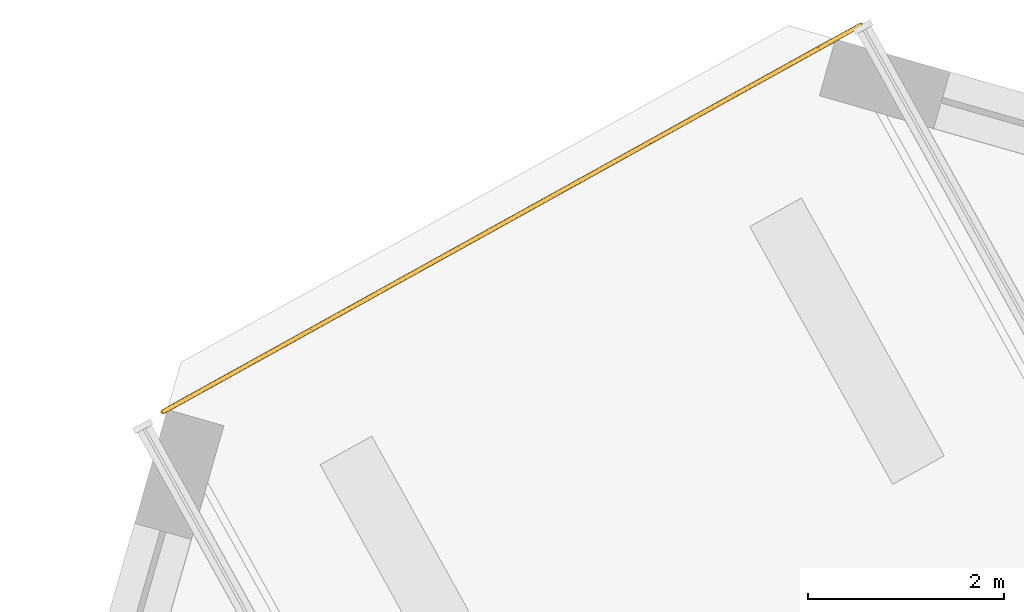
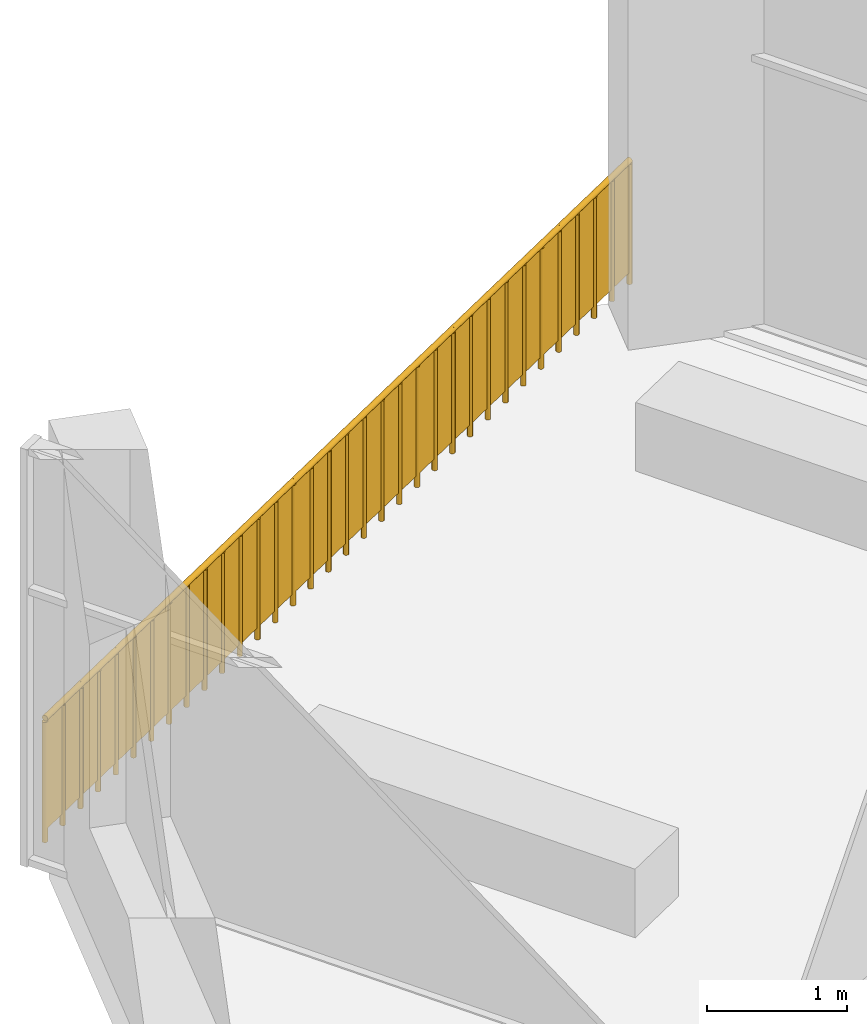
# One storey, part 14 of 15: 1 railing.
"""IFC4 building model written with IfcOpenShell, lengths in metres."""

import ifcopenshell
import ifcopenshell.guid

model = None  # the IFC model being written
_history = None  # IfcOwnerHistory: only IFC2X3 demands one
_inside = {}  # id of a spatial element -> (the spatial element, [elements in it])
_under = {}  # id of a project, library or spatial element -> (it, [spatial elements below it])
_declared = {}  # id of a project -> (the project, [libraries it declares])
_typed = {}  # id of a type object -> (the type object, [elements of that type])
_made_of = {}  # id of a material, layer set ... -> (it, [elements and type objects made of it])


def new_model(schema):
    """Start an empty IFC model of exactly this schema.

    Asked for "IFC4X3", IfcOpenShell would pick the latest addendum, in which some entities
    have other attributes; the version numbers below select the first issue.
    IFC2X3 requires an IfcOwnerHistory on every rooted entity: one is made here for all.
    """
    global model, _history
    if schema == "IFC4X3":
        model = ifcopenshell.file(schema_version=(4, 3, 0, 0))
    else:
        model = ifcopenshell.file(schema=schema)
    _inside.clear()
    _under.clear()
    _declared.clear()
    _typed.clear()
    _made_of.clear()
    _history = None
    if model.schema == "IFC2X3":
        org = make("IfcOrganization", Name="unknown")
        user = make(
            "IfcPersonAndOrganization",
            ThePerson=make("IfcPerson", FamilyName="unknown"),
            TheOrganization=org,
        )
        app = make(
            "IfcApplication",
            ApplicationDeveloper=org,
            Version="unknown",
            ApplicationFullName="unknown",
            ApplicationIdentifier="unknown",
        )
        _history = make(
            "IfcOwnerHistory",
            OwningUser=user,
            OwningApplication=app,
            ChangeAction="ADDED",
            CreationDate=0,
        )
    return model


def make(cls, **values):
    """One entity of the class cls with the attributes given. An attribute that is None is left unset."""
    return model.create_entity(
        cls, **{name: value for name, value in values.items() if value is not None}
    )


def rooted(cls, **values):
    """An entity with a GlobalId (a new one), such as an element, a storey or a relation."""
    return make(cls, GlobalId=ifcopenshell.guid.new(), OwnerHistory=_history, **values)


def si_unit(unit_type, name, prefix=None):
    """IfcSIUnit, for example si_unit("LENGTHUNIT", "METRE", prefix="MILLI")."""
    return make("IfcSIUnit", UnitType=unit_type, Prefix=prefix, Name=name)


def assignment(units):
    """IfcUnitAssignment: the units of a project."""
    return None if units is None else make("IfcUnitAssignment", Units=units)


def point(xyz):
    """IfcCartesianPoint."""
    return None if xyz is None else make("IfcCartesianPoint", Coordinates=xyz)


def direction(xyz):
    """IfcDirection."""
    return None if xyz is None else make("IfcDirection", DirectionRatios=xyz)


def frame(location, z_axis=None, x_axis=None):
    """IfcAxis2Placement3D, a coordinate frame: its origin and axes. An axis left out is left unset."""
    return make(
        "IfcAxis2Placement3D",
        Location=point(location),
        Axis=direction(z_axis),
        RefDirection=direction(x_axis),
    )


def frame_2d(location, x_axis=None):
    """IfcAxis2Placement2D, a coordinate frame in the plane: its origin and x axis."""
    return make(
        "IfcAxis2Placement2D", Location=point(location), RefDirection=direction(x_axis)
    )


def origin():
    """The frame at (0, 0, 0) with its axes left unset."""
    return frame((0.0, 0.0, 0.0))


def origin_2d():
    """The frame at (0, 0) in the plane with its x axis left unset."""
    return frame_2d((0.0, 0.0))


def place(relative_to, where):
    """IfcLocalPlacement: puts the frame where relative to a parent placement (None: the world)."""
    return make(
        "IfcLocalPlacement", PlacementRelTo=relative_to, RelativePlacement=where
    )


def context(
    kind, dimensions, precision=None, world=None, true_north=None, identifier=None
):
    """IfcGeometricRepresentationContext, for example the 3D "Model" context."""
    return make(
        "IfcGeometricRepresentationContext",
        ContextIdentifier=identifier,
        ContextType=kind,
        CoordinateSpaceDimension=dimensions,
        Precision=precision,
        WorldCoordinateSystem=world,
        TrueNorth=true_north,
    )


def subcontext(parent, identifier, kind, view, scale=None):
    """IfcGeometricRepresentationSubContext, for example "Body" below "Model"."""
    return make(
        "IfcGeometricRepresentationSubContext",
        ContextIdentifier=identifier,
        ContextType=kind,
        ParentContext=parent,
        TargetScale=scale,
        TargetView=view,
    )


def project(units=None, contexts=None):
    """IfcProject with its units and contexts."""
    return rooted(
        "IfcProject",
        Name="project",
        RepresentationContexts=contexts,
        UnitsInContext=assignment(units),
    )


def spatial(cls, under=None, at=None, **own):
    """A site, building, storey or space (cls), placed at a placement, below another one or the project."""
    s = rooted(cls, ObjectPlacement=at, **own)
    if under is not None:
        _under.setdefault(under.id(), (under, []))[1].append(s)
    return s


def profile(cls, at=None, kind="AREA", **sizes):
    """A parametric profile (cls). Its sizes go by their IFC names, for example OverallWidth=200.0."""
    return make(cls, ProfileType=kind, Position=at, **sizes)


def rectangle(**sizes):
    """IfcRectangleProfileDef."""
    return profile("IfcRectangleProfileDef", **sizes)


def circle(**sizes):
    """IfcCircleProfileDef."""
    return profile("IfcCircleProfileDef", **sizes)


def extrude(swept, where, along, depth):
    """IfcExtrudedAreaSolid: the profile swept, set in the frame where, extruded along a direction by depth."""
    return make(
        "IfcExtrudedAreaSolid",
        SweptArea=swept,
        Position=where,
        ExtrudedDirection=direction(along),
        Depth=depth,
    )


def shape(context_of_items, identifier, shape_type, items):
    """IfcShapeRepresentation: the items that make up one representation, for example the "Body"."""
    return make(
        "IfcShapeRepresentation",
        ContextOfItems=context_of_items,
        RepresentationIdentifier=identifier,
        RepresentationType=shape_type,
        Items=items,
    )


def material(Name=None, Category=None):
    """IfcMaterial."""
    return make("IfcMaterial", Name=Name, Category=Category)


def made_of(thing, what):
    """Note that an element or type object is made of a material, layer set ...; save() writes the relation."""
    if what is not None:
        _made_of.setdefault(what.id(), (what, []))[1].append(thing)
    return thing


def type_object(cls, material=None, **own):
    """A type object (cls), such as IfcWallType, which elements share."""
    return made_of(rooted(cls, **own), material)


def element(
    cls,
    number,
    at=None,
    inside=None,
    cuts=None,
    type_object=None,
    material=None,
    context=None,
    identifier="Body",
    shape_type=None,
    held_by="IfcProductDefinitionShape",
    body=None,
    shapes=None,
    **own,
):
    """One element of the class cls, such as IfcWall. Its Tag is "e" and its number.

    at: its placement. inside: the storey or other place that contains it. cuts: it is an
    opening in that element (IfcRelVoidsElement). A single representation is given by context,
    identifier, shape_type and body (its items); several are given by shapes. held_by: the class
    of the entity that holds the representations. save() writes the other relations.
    """
    e = rooted(cls, Tag="e%d" % number, ObjectPlacement=at, **own)
    if body is not None:
        shapes = [shape(context, identifier, shape_type, body)]
    if shapes is not None:
        e.Representation = make(held_by, Representations=shapes)
    if inside is not None:
        _inside.setdefault(inside.id(), (inside, []))[1].append(e)
    if cuts is not None:
        rooted(
            "IfcRelVoidsElement", RelatingBuildingElement=cuts, RelatedOpeningElement=e
        )
    if type_object is not None:
        _typed.setdefault(type_object.id(), (type_object, []))[1].append(e)
    return made_of(e, material)


def aggregate(whole, parts):
    """IfcRelAggregates: a whole, such as a stair, and the parts it consists of."""
    return rooted("IfcRelAggregates", RelatingObject=whole, RelatedObjects=parts)


def save(model, path):
    """Write the relations noted so far, then the file.

    IfcRelAggregates (storeys below a building ...), IfcRelContainedInSpatialStructure (elements
    in a storey), IfcRelDefinesByType, IfcRelAssociatesMaterial and IfcRelDeclares: one each for
    every whole, place, type object, material and project.
    """
    for whole, parts in _under.values():
        aggregate(whole, parts)
    for where, things in _inside.values():
        rooted(
            "IfcRelContainedInSpatialStructure",
            RelatedElements=things,
            RelatingStructure=where,
        )
    for kind, things in _typed.values():
        rooted("IfcRelDefinesByType", RelatedObjects=things, RelatingType=kind)
    for what, things in _made_of.values():
        rooted("IfcRelAssociatesMaterial", RelatedObjects=things, RelatingMaterial=what)
    for by, libraries in _declared.values():
        rooted("IfcRelDeclares", RelatingContext=by, RelatedDefinitions=libraries)
    model.write(path)


model = new_model("IFC4")

# Units and contexts
model_context = context("Model", 3, precision=1e-05, world=origin(), true_north=direction((0.0, 1.0)))
body_context = subcontext(model_context, "Body", "Model", "MODEL_VIEW")
ifc_project = project(units=[si_unit("LENGTHUNIT", "METRE"), si_unit("AREAUNIT", "SQUARE_METRE"), si_unit("VOLUMEUNIT", "CUBIC_METRE"), si_unit("PLANEANGLEUNIT", "RADIAN"), si_unit("MASSUNIT", "GRAM", prefix="KILO")], contexts=[model_context])

# Site, building, storey
site_placement = place(None, origin())
site = spatial("IfcSite", under=ifc_project, at=site_placement, CompositionType="ELEMENT")
building_placement = place(site_placement, origin())
building = spatial("IfcBuilding", under=site, at=building_placement, Name="Dilmun Exchange Tower", CompositionType="ELEMENT")
storey_placement = place(building_placement, frame((0.0, 0.0, 328.5)))
storey = spatial("IfcBuildingStorey", under=building, at=storey_placement, Name="L78", CompositionType="ELEMENT", Elevation=328.5)

# Railing
ifc_material = material(Name="Stainless steel", Category="steel")
railing_type = type_object("IfcRailingType", Name="Terrace guard 1100 stainless steel", PredefinedType="GUARDRAIL", material=ifc_material)
railing_placement = place(storey_placement, frame((-12.135498046875, 34.909423828125, 0.0)))
element("IfcRailing", 1, at=railing_placement, inside=storey, type_object=railing_type, Name="Terrace guard 1", PredefinedType="GUARDRAIL", context=body_context, shape_type="SweptSolid", body=[
    extrude(circle(Radius=0.02392578125, at=origin_2d()), frame((0.0, 0.0, 1.076171875), z_axis=(-0.874810735637, -0.484464835477, 0.0), x_axis=(0.484464835477, -0.874810735637, 0.0)), (0.0, 0.0, 1.0), 0.246337890625),
    extrude(rectangle(XDim=0.011962890625, YDim=0.951904296875, at=origin_2d()), frame((0.0, 0.0, 0.576171875), z_axis=(-0.874810735637, -0.484464835477, 0.0), x_axis=(0.484464835477, -0.874810735637, 0.0)), (0.0, 0.0, 1.0), 0.246337890625),
    extrude(circle(Radius=0.02392578125, at=origin_2d()), frame((-0.215576171875, -0.119384765625, 1.076171875), z_axis=(-0.874810735637, -0.484464835477, 0.0), x_axis=(0.484464835477, -0.874810735637, 0.0)), (0.0, 0.0, 1.0), 0.246337890625),
    extrude(rectangle(XDim=0.011962890625, YDim=0.951904296875, at=origin_2d()), frame((-0.215576171875, -0.119384765625, 0.576171875), z_axis=(-0.874810735637, -0.484464835477, 0.0), x_axis=(0.484464835477, -0.874810735637, 0.0)), (0.0, 0.0, 1.0), 0.246337890625),
    extrude(circle(Radius=0.02392578125, at=origin_2d()), frame((-0.43115234375, -0.23876953125, 1.076171875), z_axis=(-0.874390724559, -0.485222485882, 0.0), x_axis=(0.485222485882, -0.874390724559, 0.0)), (0.0, 0.0, 1.0), 0.24658203125),
    extrude(rectangle(XDim=0.011962890625, YDim=0.951904296875, at=origin_2d()), frame((-0.43115234375, -0.23876953125, 0.576171875), z_axis=(-0.874390724559, -0.485222485882, 0.0), x_axis=(0.485222485882, -0.874390724559, 0.0)), (0.0, 0.0, 1.0), 0.24658203125),
    extrude(circle(Radius=0.02392578125, at=origin_2d()), frame((-0.646728515625, -0.3583984375, 1.076171875), z_axis=(-0.874810735637, -0.484464835477, 0.0), x_axis=(0.484464835477, -0.874810735637, 0.0)), (0.0, 0.0, 1.0), 0.246337890625),
    extrude(rectangle(XDim=0.011962890625, YDim=0.951904296875, at=origin_2d()), frame((-0.646728515625, -0.3583984375, 0.576171875), z_axis=(-0.874810735637, -0.484464835477, 0.0), x_axis=(0.484464835477, -0.874810735637, 0.0)), (0.0, 0.0, 1.0), 0.246337890625),
    extrude(circle(Radius=0.02392578125, at=origin_2d()), frame((-0.8623046875, -0.477783203125, 1.076171875), z_axis=(-0.874577903589, -0.48488502818, 0.0), x_axis=(0.48488502818, -0.874577903589, 0.0)), (0.0, 0.0, 1.0), 0.24609375),
    extrude(rectangle(XDim=0.011962890625, YDim=0.951904296875, at=origin_2d()), frame((-0.8623046875, -0.477783203125, 0.576171875), z_axis=(-0.874577903589, -0.48488502818, 0.0), x_axis=(0.48488502818, -0.874577903589, 0.0)), (0.0, 0.0, 1.0), 0.24609375),
    extrude(circle(Radius=0.02392578125, at=origin_2d()), frame((-1.07763671875, -0.59716796875, 1.076171875), z_axis=(-0.874390724559, -0.485222485882, 0.0), x_axis=(0.485222485882, -0.874390724559, 0.0)), (0.0, 0.0, 1.0), 0.24658203125),
    extrude(rectangle(XDim=0.011962890625, YDim=0.951904296875, at=origin_2d()), frame((-1.07763671875, -0.59716796875, 0.576171875), z_axis=(-0.874390724559, -0.485222485882, 0.0), x_axis=(0.485222485882, -0.874390724559, 0.0)), (0.0, 0.0, 1.0), 0.24658203125),
    extrude(circle(Radius=0.02392578125, at=origin_2d()), frame((-1.293212890625, -0.716796875, 1.076171875), z_axis=(-0.874810735637, -0.484464835477, 0.0), x_axis=(0.484464835477, -0.874810735637, 0.0)), (0.0, 0.0, 1.0), 0.246337890625),
    extrude(rectangle(XDim=0.011962890625, YDim=0.951904296875, at=origin_2d()), frame((-1.293212890625, -0.716796875, 0.576171875), z_axis=(-0.874810735637, -0.484464835477, 0.0), x_axis=(0.484464835477, -0.874810735637, 0.0)), (0.0, 0.0, 1.0), 0.246337890625),
    extrude(circle(Radius=0.02392578125, at=origin_2d()), frame((-1.5087890625, -0.836181640625, 1.076171875), z_axis=(-0.874810735637, -0.484464835477, 0.0), x_axis=(0.484464835477, -0.874810735637, 0.0)), (0.0, 0.0, 1.0), 0.246337890625),
    extrude(rectangle(XDim=0.011962890625, YDim=0.951904296875, at=origin_2d()), frame((-1.5087890625, -0.836181640625, 0.576171875), z_axis=(-0.874810735637, -0.484464835477, 0.0), x_axis=(0.484464835477, -0.874810735637, 0.0)), (0.0, 0.0, 1.0), 0.246337890625),
    extrude(circle(Radius=0.02392578125, at=origin_2d()), frame((-1.724365234375, -0.95556640625, 1.076171875), z_axis=(-0.874157276122, -0.485642931179, 0.0), x_axis=(0.485642931179, -0.874157276122, 0.0)), (0.0, 0.0, 1.0), 0.246337890625),
    extrude(rectangle(XDim=0.011962890625, YDim=0.951904296875, at=origin_2d()), frame((-1.724365234375, -0.95556640625, 0.576171875), z_axis=(-0.874157276122, -0.485642931179, 0.0), x_axis=(0.485642931179, -0.874157276122, 0.0)), (0.0, 0.0, 1.0), 0.246337890625),
    extrude(circle(Radius=0.02392578125, at=origin_2d()), frame((-1.939697265625, -1.0751953125, 1.076171875), z_axis=(-0.874810735637, -0.484464835477, 0.0), x_axis=(0.484464835477, -0.874810735637, 0.0)), (0.0, 0.0, 1.0), 0.246337890625),
    extrude(rectangle(XDim=0.011962890625, YDim=0.951904296875, at=origin_2d()), frame((-1.939697265625, -1.0751953125, 0.576171875), z_axis=(-0.874810735637, -0.484464835477, 0.0), x_axis=(0.484464835477, -0.874810735637, 0.0)), (0.0, 0.0, 1.0), 0.246337890625),
    extrude(circle(Radius=0.02392578125, at=origin_2d()), frame((-2.1552734375, -1.194580078125, 1.076171875), z_axis=(-0.874810735637, -0.484464835477, 0.0), x_axis=(0.484464835477, -0.874810735637, 0.0)), (0.0, 0.0, 1.0), 0.246337890625),
    extrude(rectangle(XDim=0.011962890625, YDim=0.951904296875, at=origin_2d()), frame((-2.1552734375, -1.194580078125, 0.576171875), z_axis=(-0.874810735637, -0.484464835477, 0.0), x_axis=(0.484464835477, -0.874810735637, 0.0)), (0.0, 0.0, 1.0), 0.246337890625),
    extrude(circle(Radius=0.02392578125, at=origin_2d()), frame((-2.370849609375, -1.31396484375, 1.076171875), z_axis=(-0.874390724559, -0.485222485882, 0.0), x_axis=(0.485222485882, -0.874390724559, 0.0)), (0.0, 0.0, 1.0), 0.24658203125),
    extrude(rectangle(XDim=0.011962890625, YDim=0.951904296875, at=origin_2d()), frame((-2.370849609375, -1.31396484375, 0.576171875), z_axis=(-0.874390724559, -0.485222485882, 0.0), x_axis=(0.485222485882, -0.874390724559, 0.0)), (0.0, 0.0, 1.0), 0.24658203125),
    extrude(circle(Radius=0.02392578125, at=origin_2d()), frame((-2.58642578125, -1.43359375, 1.076171875), z_axis=(-0.874810735637, -0.484464835477, 0.0), x_axis=(0.484464835477, -0.874810735637, 0.0)), (0.0, 0.0, 1.0), 0.246337890625),
    extrude(rectangle(XDim=0.011962890625, YDim=0.951904296875, at=origin_2d()), frame((-2.58642578125, -1.43359375, 0.576171875), z_axis=(-0.874810735637, -0.484464835477, 0.0), x_axis=(0.484464835477, -0.874810735637, 0.0)), (0.0, 0.0, 1.0), 0.246337890625),
    extrude(circle(Radius=0.02392578125, at=origin_2d()), frame((-2.802001953125, -1.552978515625, 1.076171875), z_axis=(-0.874577903589, -0.48488502818, 0.0), x_axis=(0.48488502818, -0.874577903589, 0.0)), (0.0, 0.0, 1.0), 0.24609375),
    extrude(rectangle(XDim=0.011962890625, YDim=0.951904296875, at=origin_2d()), frame((-2.802001953125, -1.552978515625, 0.576171875), z_axis=(-0.874577903589, -0.48488502818, 0.0), x_axis=(0.48488502818, -0.874577903589, 0.0)), (0.0, 0.0, 1.0), 0.24609375),
    extrude(circle(Radius=0.02392578125, at=origin_2d()), frame((-3.017333984375, -1.67236328125, 1.076171875), z_axis=(-0.874390724559, -0.485222485882, 0.0), x_axis=(0.485222485882, -0.874390724559, 0.0)), (0.0, 0.0, 1.0), 0.24658203125),
    extrude(rectangle(XDim=0.011962890625, YDim=0.951904296875, at=origin_2d()), frame((-3.017333984375, -1.67236328125, 0.576171875), z_axis=(-0.874390724559, -0.485222485882, 0.0), x_axis=(0.485222485882, -0.874390724559, 0.0)), (0.0, 0.0, 1.0), 0.24658203125),
    extrude(circle(Radius=0.02392578125, at=origin_2d()), frame((-3.23291015625, -1.7919921875, 1.076171875), z_axis=(-0.874810735637, -0.484464835477, 0.0), x_axis=(0.484464835477, -0.874810735637, 0.0)), (0.0, 0.0, 1.0), 0.246337890625),
    extrude(rectangle(XDim=0.011962890625, YDim=0.951904296875, at=origin_2d()), frame((-3.23291015625, -1.7919921875, 0.576171875), z_axis=(-0.874810735637, -0.484464835477, 0.0), x_axis=(0.484464835477, -0.874810735637, 0.0)), (0.0, 0.0, 1.0), 0.246337890625),
    extrude(circle(Radius=0.02392578125, at=origin_2d()), frame((-3.448486328125, -1.911376953125, 1.076171875), z_axis=(-0.874810735637, -0.484464835477, 0.0), x_axis=(0.484464835477, -0.874810735637, 0.0)), (0.0, 0.0, 1.0), 0.246337890625),
    extrude(rectangle(XDim=0.011962890625, YDim=0.951904296875, at=origin_2d()), frame((-3.448486328125, -1.911376953125, 0.576171875), z_axis=(-0.874810735637, -0.484464835477, 0.0), x_axis=(0.484464835477, -0.874810735637, 0.0)), (0.0, 0.0, 1.0), 0.246337890625),
    extrude(circle(Radius=0.02392578125, at=origin_2d()), frame((-3.6640625, -2.03076171875, 1.076171875), z_axis=(-0.874157276122, -0.485642931179, 0.0), x_axis=(0.485642931179, -0.874157276122, 0.0)), (0.0, 0.0, 1.0), 0.246337890625),
    extrude(rectangle(XDim=0.011962890625, YDim=0.951904296875, at=origin_2d()), frame((-3.6640625, -2.03076171875, 0.576171875), z_axis=(-0.874157276122, -0.485642931179, 0.0), x_axis=(0.485642931179, -0.874157276122, 0.0)), (0.0, 0.0, 1.0), 0.246337890625),
    extrude(circle(Radius=0.02392578125, at=origin_2d()), frame((-3.87939453125, -2.150390625, 1.076171875), z_axis=(-0.874810735637, -0.484464835477, 0.0), x_axis=(0.484464835477, -0.874810735637, 0.0)), (0.0, 0.0, 1.0), 0.246337890625),
    extrude(rectangle(XDim=0.011962890625, YDim=0.951904296875, at=origin_2d()), frame((-3.87939453125, -2.150390625, 0.576171875), z_axis=(-0.874810735637, -0.484464835477, 0.0), x_axis=(0.484464835477, -0.874810735637, 0.0)), (0.0, 0.0, 1.0), 0.246337890625),
    extrude(circle(Radius=0.02392578125, at=origin_2d()), frame((-4.094970703125, -2.269775390625, 1.076171875), z_axis=(-0.874810735637, -0.484464835477, 0.0), x_axis=(0.484464835477, -0.874810735637, 0.0)), (0.0, 0.0, 1.0), 0.246337890625),
    extrude(rectangle(XDim=0.011962890625, YDim=0.951904296875, at=origin_2d()), frame((-4.094970703125, -2.269775390625, 0.576171875), z_axis=(-0.874810735637, -0.484464835477, 0.0), x_axis=(0.484464835477, -0.874810735637, 0.0)), (0.0, 0.0, 1.0), 0.246337890625),
    extrude(circle(Radius=0.02392578125, at=origin_2d()), frame((-4.310546875, -2.38916015625, 1.076171875), z_axis=(-0.874390724559, -0.485222485882, 0.0), x_axis=(0.485222485882, -0.874390724559, 0.0)), (0.0, 0.0, 1.0), 0.24658203125),
    extrude(rectangle(XDim=0.011962890625, YDim=0.951904296875, at=origin_2d()), frame((-4.310546875, -2.38916015625, 0.576171875), z_axis=(-0.874390724559, -0.485222485882, 0.0), x_axis=(0.485222485882, -0.874390724559, 0.0)), (0.0, 0.0, 1.0), 0.24658203125),
    extrude(circle(Radius=0.02392578125, at=origin_2d()), frame((-4.526123046875, -2.5087890625, 1.076171875), z_axis=(-0.874810735637, -0.484464835477, 0.0), x_axis=(0.484464835477, -0.874810735637, 0.0)), (0.0, 0.0, 1.0), 0.246337890625),
    extrude(rectangle(XDim=0.011962890625, YDim=0.951904296875, at=origin_2d()), frame((-4.526123046875, -2.5087890625, 0.576171875), z_axis=(-0.874810735637, -0.484464835477, 0.0), x_axis=(0.484464835477, -0.874810735637, 0.0)), (0.0, 0.0, 1.0), 0.246337890625),
    extrude(circle(Radius=0.02392578125, at=origin_2d()), frame((-4.74169921875, -2.628173828125, 1.076171875), z_axis=(-0.874577903589, -0.48488502818, 0.0), x_axis=(0.48488502818, -0.874577903589, 0.0)), (0.0, 0.0, 1.0), 0.24609375),
    extrude(rectangle(XDim=0.011962890625, YDim=0.951904296875, at=origin_2d()), frame((-4.74169921875, -2.628173828125, 0.576171875), z_axis=(-0.874577903589, -0.48488502818, 0.0), x_axis=(0.48488502818, -0.874577903589, 0.0)), (0.0, 0.0, 1.0), 0.24609375),
    extrude(circle(Radius=0.02392578125, at=origin_2d()), frame((-4.95703125, -2.74755859375, 1.076171875), z_axis=(-0.874390724559, -0.485222485882, 0.0), x_axis=(0.485222485882, -0.874390724559, 0.0)), (0.0, 0.0, 1.0), 0.24658203125),
    extrude(rectangle(XDim=0.011962890625, YDim=0.951904296875, at=origin_2d()), frame((-4.95703125, -2.74755859375, 0.576171875), z_axis=(-0.874390724559, -0.485222485882, 0.0), x_axis=(0.485222485882, -0.874390724559, 0.0)), (0.0, 0.0, 1.0), 0.24658203125),
    extrude(circle(Radius=0.02392578125, at=origin_2d()), frame((-5.172607421875, -2.8671875, 1.076171875), z_axis=(-0.874810735637, -0.484464835477, 0.0), x_axis=(0.484464835477, -0.874810735637, 0.0)), (0.0, 0.0, 1.0), 0.246337890625),
    extrude(rectangle(XDim=0.011962890625, YDim=0.951904296875, at=origin_2d()), frame((-5.172607421875, -2.8671875, 0.576171875), z_axis=(-0.874810735637, -0.484464835477, 0.0), x_axis=(0.484464835477, -0.874810735637, 0.0)), (0.0, 0.0, 1.0), 0.246337890625),
    extrude(circle(Radius=0.02392578125, at=origin_2d()), frame((-5.38818359375, -2.986572265625, 1.076171875), z_axis=(-0.874810735637, -0.484464835477, 0.0), x_axis=(0.484464835477, -0.874810735637, 0.0)), (0.0, 0.0, 1.0), 0.246337890625),
    extrude(rectangle(XDim=0.011962890625, YDim=0.951904296875, at=origin_2d()), frame((-5.38818359375, -2.986572265625, 0.576171875), z_axis=(-0.874810735637, -0.484464835477, 0.0), x_axis=(0.484464835477, -0.874810735637, 0.0)), (0.0, 0.0, 1.0), 0.246337890625),
    extrude(circle(Radius=0.02392578125, at=origin_2d()), frame((-5.603759765625, -3.10595703125, 1.076171875), z_axis=(-0.874157276122, -0.485642931179, 0.0), x_axis=(0.485642931179, -0.874157276122, 0.0)), (0.0, 0.0, 1.0), 0.246337890625),
    extrude(rectangle(XDim=0.011962890625, YDim=0.951904296875, at=origin_2d()), frame((-5.603759765625, -3.10595703125, 0.576171875), z_axis=(-0.874157276122, -0.485642931179, 0.0), x_axis=(0.485642931179, -0.874157276122, 0.0)), (0.0, 0.0, 1.0), 0.246337890625),
    extrude(circle(Radius=0.02392578125, at=origin_2d()), frame((-5.819091796875, -3.2255859375, 1.076171875), z_axis=(-0.874810735637, -0.484464835477, 0.0), x_axis=(0.484464835477, -0.874810735637, 0.0)), (0.0, 0.0, 1.0), 0.246337890625),
    extrude(rectangle(XDim=0.011962890625, YDim=0.951904296875, at=origin_2d()), frame((-5.819091796875, -3.2255859375, 0.576171875), z_axis=(-0.874810735637, -0.484464835477, 0.0), x_axis=(0.484464835477, -0.874810735637, 0.0)), (0.0, 0.0, 1.0), 0.246337890625),
    extrude(circle(Radius=0.02392578125, at=origin_2d()), frame((-6.03466796875, -3.344970703125, 1.076171875), z_axis=(-0.874810735637, -0.484464835477, 0.0), x_axis=(0.484464835477, -0.874810735637, 0.0)), (0.0, 0.0, 1.0), 0.246337890625),
    extrude(rectangle(XDim=0.011962890625, YDim=0.951904296875, at=origin_2d()), frame((-6.03466796875, -3.344970703125, 0.576171875), z_axis=(-0.874810735637, -0.484464835477, 0.0), x_axis=(0.484464835477, -0.874810735637, 0.0)), (0.0, 0.0, 1.0), 0.246337890625),
    extrude(circle(Radius=0.02392578125, at=origin_2d()), frame((-6.250244140625, -3.46435546875, 1.076171875), z_axis=(-0.874390724559, -0.485222485882, 0.0), x_axis=(0.485222485882, -0.874390724559, 0.0)), (0.0, 0.0, 1.0), 0.24658203125),
    extrude(rectangle(XDim=0.011962890625, YDim=0.951904296875, at=origin_2d()), frame((-6.250244140625, -3.46435546875, 0.576171875), z_axis=(-0.874390724559, -0.485222485882, 0.0), x_axis=(0.485222485882, -0.874390724559, 0.0)), (0.0, 0.0, 1.0), 0.24658203125),
    extrude(circle(Radius=0.02392578125, at=origin_2d()), frame((-6.4658203125, -3.583984375, 1.076171875), z_axis=(-0.874810735637, -0.484464835477, 0.0), x_axis=(0.484464835477, -0.874810735637, 0.0)), (0.0, 0.0, 1.0), 0.246337890625),
    extrude(rectangle(XDim=0.011962890625, YDim=0.951904296875, at=origin_2d()), frame((-6.4658203125, -3.583984375, 0.576171875), z_axis=(-0.874810735637, -0.484464835477, 0.0), x_axis=(0.484464835477, -0.874810735637, 0.0)), (0.0, 0.0, 1.0), 0.246337890625),
    extrude(circle(Radius=0.02392578125, at=origin_2d()), frame((-6.681396484375, -3.703369140625, 1.076171875), z_axis=(-0.874577903589, -0.48488502818, 0.0), x_axis=(0.48488502818, -0.874577903589, 0.0)), (0.0, 0.0, 1.0), 0.24609375),
    extrude(rectangle(XDim=0.011962890625, YDim=0.951904296875, at=origin_2d()), frame((-6.681396484375, -3.703369140625, 0.576171875), z_axis=(-0.874577903589, -0.48488502818, 0.0), x_axis=(0.48488502818, -0.874577903589, 0.0)), (0.0, 0.0, 1.0), 0.24609375),
    extrude(circle(Radius=0.02392578125, at=origin_2d()), frame((-6.896728515625, -3.82275390625, 1.076171875), z_axis=(-0.874390724559, -0.485222485882, 0.0), x_axis=(0.485222485882, -0.874390724559, 0.0)), (0.0, 0.0, 1.0), 0.24658203125),
    extrude(rectangle(XDim=0.011962890625, YDim=0.951904296875, at=origin_2d()), frame((-6.896728515625, -3.82275390625, 0.576171875), z_axis=(-0.874390724559, -0.485222485882, 0.0), x_axis=(0.485222485882, -0.874390724559, 0.0)), (0.0, 0.0, 1.0), 0.24658203125),
    extrude(circle(Radius=0.02099609375, at=origin_2d()), origin(), (0.0, 0.0, 1.0), 1.052001953125),
    extrude(circle(Radius=0.02099609375, at=origin_2d()), frame((-0.215576171875, -0.119384765625, 0.0)), (0.0, 0.0, 1.0), 1.052001953125),
    extrude(circle(Radius=0.02099609375, at=origin_2d()), frame((-0.43115234375, -0.23876953125, 0.0)), (0.0, 0.0, 1.0), 1.052001953125),
    extrude(circle(Radius=0.02099609375, at=origin_2d()), frame((-0.646728515625, -0.3583984375, 0.0)), (0.0, 0.0, 1.0), 1.052001953125),
    extrude(circle(Radius=0.02099609375, at=origin_2d()), frame((-0.8623046875, -0.477783203125, 0.0)), (0.0, 0.0, 1.0), 1.052001953125),
    extrude(circle(Radius=0.02099609375, at=origin_2d()), frame((-1.07763671875, -0.59716796875, 0.0)), (0.0, 0.0, 1.0), 1.052001953125),
    extrude(circle(Radius=0.02099609375, at=origin_2d()), frame((-1.293212890625, -0.716796875, 0.0)), (0.0, 0.0, 1.0), 1.052001953125),
    extrude(circle(Radius=0.02099609375, at=origin_2d()), frame((-1.5087890625, -0.836181640625, 0.0)), (0.0, 0.0, 1.0), 1.052001953125),
    extrude(circle(Radius=0.02099609375, at=origin_2d()), frame((-1.724365234375, -0.95556640625, 0.0)), (0.0, 0.0, 1.0), 1.052001953125),
    extrude(circle(Radius=0.02099609375, at=origin_2d()), frame((-1.939697265625, -1.0751953125, 0.0)), (0.0, 0.0, 1.0), 1.052001953125),
    extrude(circle(Radius=0.02099609375, at=origin_2d()), frame((-2.1552734375, -1.194580078125, 0.0)), (0.0, 0.0, 1.0), 1.052001953125),
    extrude(circle(Radius=0.02099609375, at=origin_2d()), frame((-2.370849609375, -1.31396484375, 0.0)), (0.0, 0.0, 1.0), 1.052001953125),
    extrude(circle(Radius=0.02099609375, at=origin_2d()), frame((-2.58642578125, -1.43359375, 0.0)), (0.0, 0.0, 1.0), 1.052001953125),
    extrude(circle(Radius=0.02099609375, at=origin_2d()), frame((-2.802001953125, -1.552978515625, 0.0)), (0.0, 0.0, 1.0), 1.052001953125),
    extrude(circle(Radius=0.02099609375, at=origin_2d()), frame((-3.017333984375, -1.67236328125, 0.0)), (0.0, 0.0, 1.0), 1.052001953125),
    extrude(circle(Radius=0.02099609375, at=origin_2d()), frame((-3.23291015625, -1.7919921875, 0.0)), (0.0, 0.0, 1.0), 1.052001953125),
    extrude(circle(Radius=0.02099609375, at=origin_2d()), frame((-3.448486328125, -1.911376953125, 0.0)), (0.0, 0.0, 1.0), 1.052001953125),
    extrude(circle(Radius=0.02099609375, at=origin_2d()), frame((-3.6640625, -2.03076171875, 0.0)), (0.0, 0.0, 1.0), 1.052001953125),
    extrude(circle(Radius=0.02099609375, at=origin_2d()), frame((-3.87939453125, -2.150390625, 0.0)), (0.0, 0.0, 1.0), 1.052001953125),
    extrude(circle(Radius=0.02099609375, at=origin_2d()), frame((-4.094970703125, -2.269775390625, 0.0)), (0.0, 0.0, 1.0), 1.052001953125),
    extrude(circle(Radius=0.02099609375, at=origin_2d()), frame((-4.310546875, -2.38916015625, 0.0)), (0.0, 0.0, 1.0), 1.052001953125),
    extrude(circle(Radius=0.02099609375, at=origin_2d()), frame((-4.526123046875, -2.5087890625, 0.0)), (0.0, 0.0, 1.0), 1.052001953125),
    extrude(circle(Radius=0.02099609375, at=origin_2d()), frame((-4.74169921875, -2.628173828125, 0.0)), (0.0, 0.0, 1.0), 1.052001953125),
    extrude(circle(Radius=0.02099609375, at=origin_2d()), frame((-4.95703125, -2.74755859375, 0.0)), (0.0, 0.0, 1.0), 1.052001953125),
    extrude(circle(Radius=0.02099609375, at=origin_2d()), frame((-5.172607421875, -2.8671875, 0.0)), (0.0, 0.0, 1.0), 1.052001953125),
    extrude(circle(Radius=0.02099609375, at=origin_2d()), frame((-5.38818359375, -2.986572265625, 0.0)), (0.0, 0.0, 1.0), 1.052001953125),
    extrude(circle(Radius=0.02099609375, at=origin_2d()), frame((-5.603759765625, -3.10595703125, 0.0)), (0.0, 0.0, 1.0), 1.052001953125),
    extrude(circle(Radius=0.02099609375, at=origin_2d()), frame((-5.819091796875, -3.2255859375, 0.0)), (0.0, 0.0, 1.0), 1.052001953125),
    extrude(circle(Radius=0.02099609375, at=origin_2d()), frame((-6.03466796875, -3.344970703125, 0.0)), (0.0, 0.0, 1.0), 1.052001953125),
    extrude(circle(Radius=0.02099609375, at=origin_2d()), frame((-6.250244140625, -3.46435546875, 0.0)), (0.0, 0.0, 1.0), 1.052001953125),
    extrude(circle(Radius=0.02099609375, at=origin_2d()), frame((-6.4658203125, -3.583984375, 0.0)), (0.0, 0.0, 1.0), 1.052001953125),
    extrude(circle(Radius=0.02099609375, at=origin_2d()), frame((-6.681396484375, -3.703369140625, 0.0)), (0.0, 0.0, 1.0), 1.052001953125),
    extrude(circle(Radius=0.02099609375, at=origin_2d()), frame((-6.896728515625, -3.82275390625, 0.0)), (0.0, 0.0, 1.0), 1.052001953125),
    extrude(circle(Radius=0.02099609375, at=origin_2d()), frame((-7.1123046875, -3.9423828125, 0.0)), (0.0, 0.0, 1.0), 1.052001953125),
])

save(model, "model.ifc")
